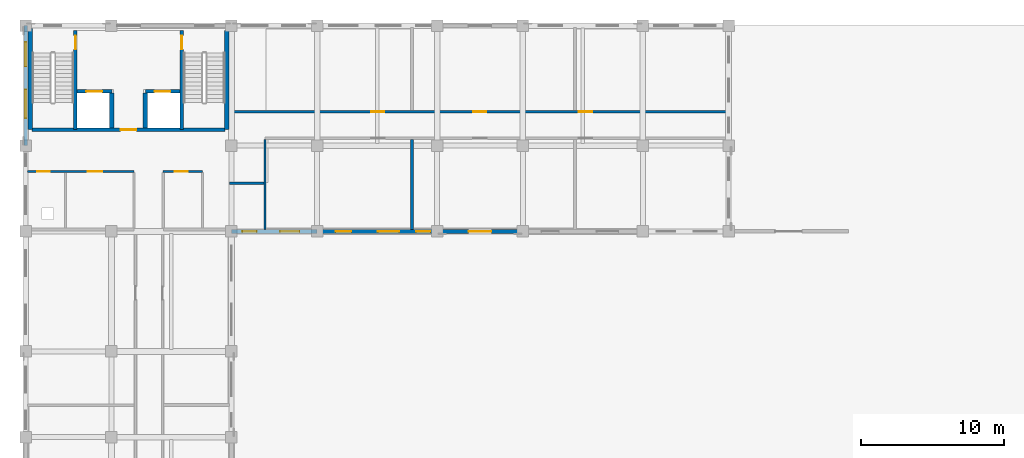
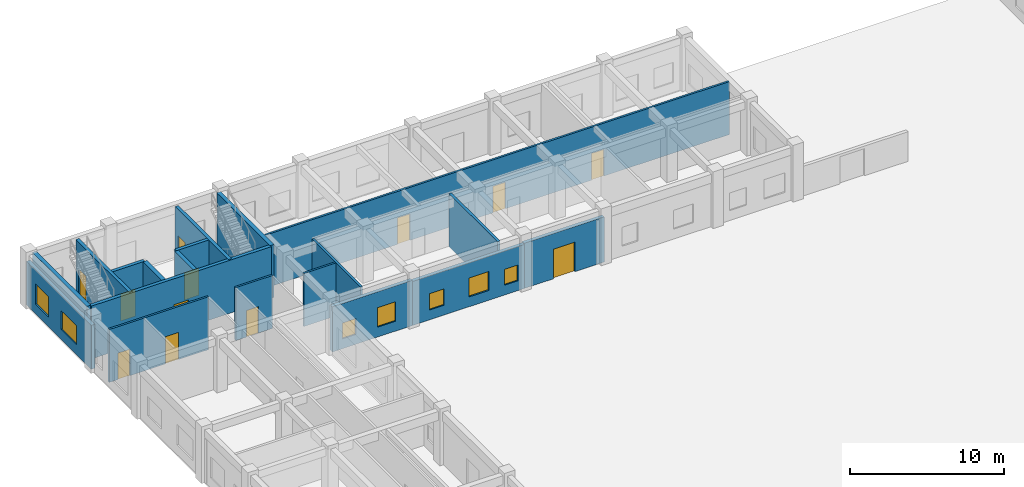
# One storey, part 36 of 67: 19 walls, 12 doors, 7 windows, 19 openings.
"""IFC4 building model written with IfcOpenShell, lengths in metres."""

from ifc_helpers import new_model, si_unit, direction, frame, frame_2d, origin, place, context, subcontext, project, spatial, rectangle, extrude, material, layer, layer_set, type_object, element, fill, save


model = new_model("IFC4")

# Units and contexts
model_context = context("Model", 3, precision=1e-05, world=origin(), true_north=direction((0.0, 1.0)))
body_context = subcontext(model_context, "Body", "Model", "MODEL_VIEW")
ifc_project = project(units=[si_unit("LENGTHUNIT", "METRE"), si_unit("AREAUNIT", "SQUARE_METRE"), si_unit("VOLUMEUNIT", "CUBIC_METRE"), si_unit("PLANEANGLEUNIT", "RADIAN"), si_unit("MASSUNIT", "GRAM", prefix="KILO"), si_unit("THERMODYNAMICTEMPERATUREUNIT", "KELVIN")], contexts=[model_context])

# Site, building, storey
site_placement = place(None, origin())
site = spatial("IfcSite", under=ifc_project, at=site_placement, CompositionType="ELEMENT")
building_placement = place(site_placement, origin())
building = spatial("IfcBuilding", under=site, at=building_placement, Name="Thalorik Housing Commons", CompositionType="ELEMENT")
storey_placement = place(building_placement, origin())
storey = spatial("IfcBuildingStorey", under=building, at=storey_placement, Name="L00", CompositionType="ELEMENT", Elevation=0.0)

# Wall, opening, door
ifc_material_1 = material(Name="Concrete C40/50", Category="concrete")
ifc_layer_1 = layer(ifc_material_1, 0.25, Name="Concrete C40/50", Category="concrete")
ifc_layer_set_1 = layer_set([ifc_layer_1], Name="Concrete C40/50")
wall_type_1 = type_object("IfcWallType", Name="ARC-WAL-CORE-250", PredefinedType="SHEAR", material=ifc_layer_set_1)
wall_1_placement = place(storey_placement, frame((11.875, 123.25, 0.0), z_axis=(0.0, 0.0, 1.0), x_axis=(0.0, -1.0, 0.0)))
wall_1 = element("IfcWall", 1, at=wall_1_placement, inside=storey, type_object=wall_type_1, Name="L00 Core A Stair 1 Shear Wall", PredefinedType="SHEAR", context=body_context, shape_type="SweptSolid", body=[
    extrude(rectangle(XDim=6.925048828125, YDim=0.25, at=frame_2d((3.46240234375, 0.0))), origin(), (0.0, 0.0, 1.0), 4.199951171875),
])
opening_1_placement = place(wall_1_placement, frame((0.35009765625, 0.0, 0.0)))
opening_1 = element("IfcOpeningElement", 2, at=opening_1_placement, cuts=wall_1, Name="Opening ID-0009", PredefinedType="OPENING", context=body_context, shape_type="SweptSolid", body=[
    extrude(rectangle(XDim=0.949951171875, YDim=2.10009765625, at=frame_2d((0.47509765625, 1.050048828125))), frame((0.0, 0.135009765625, 0.0), z_axis=(0.0, -1.0, 0.0), x_axis=(1.0, 0.0, 0.0)), (0.0, 0.0, 1.0), 0.27001953125),
])
ifc_material_2 = material(Name="Steel S355", Category="steel")
door_type_1 = type_object("IfcDoorType", Name="ARC-DR-FD60-950", OperationType="NOTDEFINED", PredefinedType="DOOR", material=ifc_material_2)
door_1_placement = place(opening_1_placement, origin())
door_1 = element("IfcDoor", 3, at=door_1_placement, inside=storey, type_object=door_type_1, Name="L00 Stair ST-A1 Fire Door", OperationType="SINGLE_SWING_RIGHT", OverallHeight=2.10009765625, OverallWidth=0.949951171875, PredefinedType="DOOR", context=body_context, shape_type="SweptSolid", body=[
    extrude(rectangle(XDim=0.949951171875, YDim=2.10009765625, at=frame_2d((0.47509765625, 1.050048828125))), frame((0.0, 0.02490234375, 0.0), z_axis=(0.0, -1.0, 0.0), x_axis=(1.0, 0.0, 0.0)), (0.0, 0.0, 1.0), 0.050048828125),
])
fill(opening_1, door_1)

wall_2_placement = place(storey_placement, frame((19.324951171875, 123.25, 0.0), z_axis=(0.0, 0.0, 1.0), x_axis=(0.0, -1.0, 0.0)))
wall_2 = element("IfcWall", 4, at=wall_2_placement, inside=storey, type_object=wall_type_1, Name="L00 Core A Stair 2 Shear Wall", PredefinedType="SHEAR", context=body_context, shape_type="SweptSolid", body=[
    extrude(rectangle(XDim=6.925048828125, YDim=0.25, at=frame_2d((3.46240234375, 0.0))), origin(), (0.0, 0.0, 1.0), 4.199951171875),
])
opening_2_placement = place(wall_2_placement, frame((0.35009765625, 0.0, 0.0)))
opening_2 = element("IfcOpeningElement", 5, at=opening_2_placement, cuts=wall_2, Name="Opening ID-0010", PredefinedType="OPENING", context=body_context, shape_type="SweptSolid", body=[
    extrude(rectangle(XDim=0.949951171875, YDim=2.10009765625, at=frame_2d((0.47509765625, 1.050048828125))), frame((0.0, 0.135009765625, 0.0), z_axis=(0.0, -1.0, 0.0), x_axis=(1.0, 0.0, 0.0)), (0.0, 0.0, 1.0), 0.27001953125),
])
door_2_placement = place(opening_2_placement, origin())
door_2 = element("IfcDoor", 6, at=door_2_placement, inside=storey, type_object=door_type_1, Name="L00 Stair ST-A2 Fire Door", OperationType="SINGLE_SWING_LEFT", OverallHeight=2.10009765625, OverallWidth=0.949951171875, PredefinedType="DOOR", context=body_context, shape_type="SweptSolid", body=[
    extrude(rectangle(XDim=0.949951171875, YDim=2.10009765625, at=frame_2d((0.47509765625, 1.050048828125))), frame((0.0, 0.02490234375, 0.0), z_axis=(0.0, -1.0, 0.0), x_axis=(1.0, 0.0, 0.0)), (0.0, 0.0, 1.0), 0.050048828125),
])
fill(opening_2, door_2)

wall_3_placement = place(storey_placement, frame((12.0, 119.0, 0.0), z_axis=(0.0, 0.0, 1.0), x_axis=(1.0, 0.0, 0.0)))
wall_3 = element("IfcWall", 7, at=wall_3_placement, inside=storey, type_object=wall_type_1, Name="L00 Lift LF-A1 Front Shaft Wall", PredefinedType="SHEAR", context=body_context, shape_type="SweptSolid", body=[
    extrude(rectangle(XDim=2.425048828125, YDim=0.25, at=frame_2d((1.21240234375, 0.0))), origin(), (0.0, 0.0, 1.0), 4.199951171875),
])
opening_3_placement = place(wall_3_placement, frame((0.64990234375, 0.0, 0.0)))
opening_3 = element("IfcOpeningElement", 8, at=opening_3_placement, cuts=wall_3, Name="Opening LD-LF-A1-L00", PredefinedType="OPENING", context=body_context, shape_type="SweptSolid", body=[
    extrude(rectangle(XDim=1.10009765625, YDim=2.14990234375, at=frame_2d((0.550048828125, 1.074951171875))), frame((0.0, 0.135009765625, 0.0), z_axis=(0.0, -1.0, 0.0), x_axis=(1.0, 0.0, 0.0)), (0.0, 0.0, 1.0), 0.27001953125),
])
door_type_2 = type_object("IfcDoorType", Name="ARC-DR-LIFT-1100", OperationType="NOTDEFINED", PredefinedType="DOOR", material=ifc_material_2)
door_3_placement = place(opening_3_placement, origin())
door_3 = element("IfcDoor", 9, at=door_3_placement, inside=storey, type_object=door_type_2, Name="L00 Lift LF-A1 Landing Door", OperationType="SLIDING_TO_LEFT", OverallHeight=2.14990234375, OverallWidth=1.10009765625, PredefinedType="DOOR", context=body_context, shape_type="SweptSolid", body=[
    extrude(rectangle(XDim=1.10009765625, YDim=2.14990234375, at=frame_2d((0.550048828125, 1.074951171875))), frame((0.0, 0.02490234375, 0.0), z_axis=(0.0, -1.0, 0.0), x_axis=(1.0, 0.0, 0.0)), (0.0, 0.0, 1.0), 0.050048828125),
])
fill(opening_3, door_3)

wall_4_placement = place(storey_placement, frame((16.77490234375, 119.0, 0.0), z_axis=(0.0, 0.0, 1.0), x_axis=(1.0, 0.0, 0.0)))
wall_4 = element("IfcWall", 10, at=wall_4_placement, inside=storey, type_object=wall_type_1, Name="L00 Lift LP-A2 Front Shaft Wall", PredefinedType="SHEAR", context=body_context, shape_type="SweptSolid", body=[
    extrude(rectangle(XDim=2.425048828125, YDim=0.25, at=frame_2d((1.21240234375, 0.0))), origin(), (0.0, 0.0, 1.0), 4.199951171875),
])
opening_4_placement = place(wall_4_placement, frame((0.64990234375, 0.0, 0.0)))
opening_4 = element("IfcOpeningElement", 11, at=opening_4_placement, cuts=wall_4, Name="Opening LD-LP-A2-L00", PredefinedType="OPENING", context=body_context, shape_type="SweptSolid", body=[
    extrude(rectangle(XDim=1.10009765625, YDim=2.14990234375, at=frame_2d((0.550048828125, 1.074951171875))), frame((0.0, 0.135009765625, 0.0), z_axis=(0.0, -1.0, 0.0), x_axis=(1.0, 0.0, 0.0)), (0.0, 0.0, 1.0), 0.27001953125),
])
door_4_placement = place(opening_4_placement, origin())
door_4 = element("IfcDoor", 12, at=door_4_placement, inside=storey, type_object=door_type_2, Name="L00 Lift LP-A2 Landing Door", OperationType="SLIDING_TO_LEFT", OverallHeight=2.14990234375, OverallWidth=1.10009765625, PredefinedType="DOOR", context=body_context, shape_type="SweptSolid", body=[
    extrude(rectangle(XDim=1.10009765625, YDim=2.14990234375, at=frame_2d((0.550048828125, 1.074951171875))), frame((0.0, 0.02490234375, 0.0), z_axis=(0.0, -1.0, 0.0), x_axis=(1.0, 0.0, 0.0)), (0.0, 0.0, 1.0), 0.050048828125),
])
fill(opening_4, door_4)

wall_5_placement = place(storey_placement, frame((8.85009765625, 116.324951171875, 0.0), z_axis=(0.0, 0.0, 1.0), x_axis=(1.0, 0.0, 0.0)))
wall_5 = element("IfcWall", 13, at=wall_5_placement, inside=storey, type_object=wall_type_1, Name="L00 Core A Spine Shear Wall", PredefinedType="SHEAR", context=body_context, shape_type="SweptSolid", body=[
    extrude(rectangle(XDim=13.5, YDim=0.25, at=frame_2d((6.75, 0.0))), origin(), (0.0, 0.0, 1.0), 4.199951171875),
])
opening_5_placement = place(wall_5_placement, frame((6.199951171875, 0.0, 0.0)))
opening_5 = element("IfcOpeningElement", 14, at=opening_5_placement, cuts=wall_5, Name="Opening ID-0013", PredefinedType="OPENING", context=body_context, shape_type="SweptSolid", body=[
    extrude(rectangle(XDim=1.10009765625, YDim=2.14990234375, at=frame_2d((0.550048828125, 1.074951171875))), frame((0.0, 0.135009765625, 0.0), z_axis=(0.0, -1.0, 0.0), x_axis=(1.0, 0.0, 0.0)), (0.0, 0.0, 1.0), 0.27001953125),
])
door_type_3 = type_object("IfcDoorType", Name="ARC-DR-FD60-1100", OperationType="NOTDEFINED", PredefinedType="DOOR", material=ifc_material_2)
door_5_placement = place(opening_5_placement, origin())
door_5 = element("IfcDoor", 15, at=door_5_placement, inside=storey, type_object=door_type_3, Name="L00 Core A Lobby Fire Door", OperationType="SINGLE_SWING_RIGHT", OverallHeight=2.14990234375, OverallWidth=1.10009765625, PredefinedType="DOOR", context=body_context, shape_type="SweptSolid", body=[
    extrude(rectangle(XDim=1.10009765625, YDim=2.14990234375, at=frame_2d((0.550048828125, 1.074951171875))), frame((0.0, 0.02490234375, 0.0), z_axis=(0.0, -1.0, 0.0), x_axis=(1.0, 0.0, 0.0)), (0.0, 0.0, 1.0), 0.050048828125),
])
fill(opening_5, door_5)

# Walls
ifc_layer_2 = layer(ifc_material_1, 0.300048828125, Name="Concrete C40/50", Category="concrete")
ifc_layer_set_2 = layer_set([ifc_layer_2], Name="Concrete C40/50")
wall_type_2 = type_object("IfcWallType", Name="ARC-WAL-CORE-300", PredefinedType="SHEAR", material=ifc_layer_set_2)
wall_6_placement = place(storey_placement, frame((8.72509765625, 123.39990234375, 0.0), z_axis=(0.0, 0.0, 1.0), x_axis=(0.0, -1.0, 0.0)))
element("IfcWall", 16, at=wall_6_placement, inside=storey, type_object=wall_type_2, Name="L00 Core A Stair 1 Outer Shear Wall", PredefinedType="SHEAR", context=body_context, shape_type="SweptSolid", body=[
    extrude(rectangle(XDim=7.074951171875, YDim=0.300048828125, at=frame_2d((3.53759765625, 0.0))), origin(), (0.0, 0.0, 1.0), 4.199951171875),
])
wall_7_placement = place(storey_placement, frame((22.47509765625, 123.25, 0.0), z_axis=(0.0, 0.0, 1.0), x_axis=(0.0, -1.0, 0.0)))
element("IfcWall", 17, at=wall_7_placement, inside=storey, type_object=wall_type_2, Name="L00 Core A Stair 2 Outer Shear Wall", PredefinedType="SHEAR", context=body_context, shape_type="SweptSolid", body=[
    extrude(rectangle(XDim=6.925048828125, YDim=0.300048828125, at=frame_2d((3.46240234375, 0.0))), origin(), (0.0, 0.0, 1.0), 4.199951171875),
])
for number, where, z_axis, x_axis, name in (
    (18, (14.425048828125, 118.875, 0.0), (0.0, 0.0, 1.0), (0.0, -1.0, 0.0), "L00 Lift 1 Cheek Wall"),
    (19, (16.77490234375, 118.875, 0.0), (0.0, 0.0, 1.0), (0.0, -1.0, 0.0), "L00 Lift 2 Cheek Wall"),
):
    element("IfcWall", number, at=place(storey_placement, frame(where, z_axis=z_axis, x_axis=x_axis)), inside=storey, type_object=wall_type_2, Name=name, PredefinedType="SHEAR", context=body_context, shape_type="SweptSolid", body=[
        extrude(rectangle(XDim=2.425048828125, YDim=0.300048828125, at=frame_2d((1.21240234375, 0.0))), origin(), (0.0, 0.0, 1.0), 4.199951171875),
    ])
ifc_material_3 = material(Name="Masonry fire-rated corridor wall", Category="masonry")
ifc_layer_3 = layer(ifc_material_3, 0.14990234375, Name="Masonry fire-rated corridor wall", Category="masonry")
ifc_layer_set_3 = layer_set([ifc_layer_3], Name="Masonry fire-rated corridor wall")
wall_type_3 = type_object("IfcWallType", Name="ARC-WAL-CORR-150", PredefinedType="PARTITIONING", material=ifc_layer_set_3)
wall_8_placement = place(storey_placement, frame((22.659912109375, 112.570068359375, 0.0), z_axis=(0.0, 0.0, 1.0), x_axis=(1.0, 0.0, 0.0)))
element("IfcWall", 20, at=wall_8_placement, inside=storey, type_object=wall_type_3, Name="L00 Block A Vestibule South Wall", PredefinedType="PARTITIONING", context=body_context, shape_type="SweptSolid", body=[
    extrude(rectangle(XDim=2.405517578125, YDim=0.14990234375, at=frame_2d((1.20263671875, 0.0))), origin(), (0.0, 0.0, 1.0), 4.199951171875),
])

# Wall, openings, doors
wall_9_placement = place(storey_placement, frame((22.659912109375, 117.580078125, 0.0), z_axis=(0.0, 0.0, 1.0), x_axis=(1.0, 0.0, 0.0)))
wall_9 = element("IfcWall", 21, at=wall_9_placement, inside=storey, type_object=wall_type_3, Name="L00 Block A N Corridor Wall 2", PredefinedType="PARTITIONING", context=body_context, shape_type="SweptSolid", body=[
    extrude(rectangle(XDim=34.8056640625, YDim=0.14990234375, at=frame_2d((17.40283203125, 0.0))), origin(), (0.0, 0.0, 1.0), 4.199951171875),
])
opening_6_placement = place(wall_9_placement, frame((9.914306640625, 0.0, 0.0)))
opening_6 = element("IfcOpeningElement", 22, at=opening_6_placement, cuts=wall_9, Name="Opening ID-0428", PredefinedType="OPENING", context=body_context, shape_type="SweptSolid", body=[
    extrude(rectangle(XDim=0.919921875, YDim=2.10009765625, at=frame_2d((0.4599609375, 1.050048828125))), frame((0.0, 0.0849609375, 0.0), z_axis=(0.0, -1.0, 0.0), x_axis=(1.0, 0.0, 0.0)), (0.0, 0.0, 1.0), 0.169921875),
])
opening_7_placement = place(wall_9_placement, frame((17.072265625, 0.0, 0.0)))
opening_7 = element("IfcOpeningElement", 23, at=opening_7_placement, cuts=wall_9, Name="Opening ID-0429", PredefinedType="OPENING", context=body_context, shape_type="SweptSolid", body=[
    extrude(rectangle(XDim=0.919921875, YDim=2.10009765625, at=frame_2d((0.4599609375, 1.050048828125))), frame((0.0, 0.0849609375, 0.0), z_axis=(0.0, -1.0, 0.0), x_axis=(1.0, 0.0, 0.0)), (0.0, 0.0, 1.0), 0.169921875),
])
opening_8_placement = place(wall_9_placement, frame((24.43994140625, 0.0, 0.0)))
opening_8 = element("IfcOpeningElement", 24, at=opening_8_placement, cuts=wall_9, Name="Opening ID-0430", PredefinedType="OPENING", context=body_context, shape_type="SweptSolid", body=[
    extrude(rectangle(XDim=0.9599609375, YDim=2.1201171875, at=frame_2d((0.47998046875, 1.06005859375))), frame((0.0, 0.0849609375, 0.0), z_axis=(0.0, -1.0, 0.0), x_axis=(1.0, 0.0, 0.0)), (0.0, 0.0, 1.0), 0.169921875),
])
ifc_material_4 = material(Name="Solid core hardwood timber", Category="wood")
door_type_4 = type_object("IfcDoorType", Name="ARC-DR-FD30-920", OperationType="NOTDEFINED", PredefinedType="DOOR", material=ifc_material_4)
door_6_placement = place(opening_6_placement, origin())
door_6 = element("IfcDoor", 25, at=door_6_placement, inside=storey, type_object=door_type_4, Name="L00 Residents Cooperative Library Door", OperationType="SINGLE_SWING_LEFT", OverallHeight=2.10009765625, OverallWidth=0.919921875, PredefinedType="DOOR", context=body_context, shape_type="SweptSolid", body=[
    extrude(rectangle(XDim=0.919921875, YDim=2.10009765625, at=frame_2d((0.4599609375, 1.050048828125))), frame((0.0, 0.02490234375, 0.0), z_axis=(0.0, -1.0, 0.0), x_axis=(1.0, 0.0, 0.0)), (0.0, 0.0, 1.0), 0.050048828125),
])
fill(opening_6, door_6)
door_7_placement = place(opening_7_placement, origin())
door_7 = element("IfcDoor", 26, at=door_7_placement, inside=storey, type_object=door_type_4, Name="L00 Community Youth Studio Door", OperationType="SINGLE_SWING_RIGHT", OverallHeight=2.10009765625, OverallWidth=0.919921875, PredefinedType="DOOR", context=body_context, shape_type="SweptSolid", body=[
    extrude(rectangle(XDim=0.919921875, YDim=2.10009765625, at=frame_2d((0.4599609375, 1.050048828125))), frame((0.0, 0.02490234375, 0.0), z_axis=(0.0, -1.0, 0.0), x_axis=(1.0, 0.0, 0.0)), (0.0, 0.0, 1.0), 0.050048828125),
])
fill(opening_7, door_7)
door_type_5 = type_object("IfcDoorType", Name="ARC-DR-FD30-960", OperationType="NOTDEFINED", PredefinedType="DOOR", material=ifc_material_4)
door_8_placement = place(opening_8_placement, origin())
door_8 = element("IfcDoor", 27, at=door_8_placement, inside=storey, type_object=door_type_5, Name="L00 Senior Day Lounge Door", OperationType="SINGLE_SWING_LEFT", OverallHeight=2.1201171875, OverallWidth=0.9599609375, PredefinedType="DOOR", context=body_context, shape_type="SweptSolid", body=[
    extrude(rectangle(XDim=0.9599609375, YDim=2.1201171875, at=frame_2d((0.47998046875, 1.06005859375))), frame((0.0, 0.02490234375, 0.0), z_axis=(0.0, -1.0, 0.0), x_axis=(1.0, 0.0, 0.0)), (0.0, 0.0, 1.0), 0.050048828125),
])
fill(opening_8, door_8)

# Wall
ifc_layer_4 = layer(ifc_material_3, 0.1650390625, Name="Masonry fire-rated corridor wall", Category="masonry")
ifc_layer_set_4 = layer_set([ifc_layer_4], Name="Masonry fire-rated corridor wall")
wall_type_4 = type_object("IfcWallType", Name="ARC-WAL-CORR-165", PredefinedType="PARTITIONING", material=ifc_layer_set_4)
wall_10_placement = place(storey_placement, frame((25.14990234375, 109.33447265625, 0.0), z_axis=(0.0, 0.0, 1.0), x_axis=(0.0, 1.0, 0.0)))
element("IfcWall", 28, at=wall_10_placement, inside=storey, type_object=wall_type_4, Name="L00 Block A Vestibule Cheek Wall", PredefinedType="PARTITIONING", context=body_context, shape_type="SweptSolid", body=[
    extrude(rectangle(XDim=6.301025390625, YDim=0.1650390625, at=frame_2d((3.150390625, 0.0))), origin(), (0.0, 0.0, 1.0), 4.199951171875),
])

# Wall, openings, windows
ifc_material_5 = material(Name="White precast concrete C40/50", Category="concrete")
ifc_layer_5 = layer(ifc_material_5, 0.264892578125, Name="White precast concrete C40/50", Category="concrete")
ifc_layer_set_5 = layer_set([ifc_layer_5], Name="White precast concrete C40/50")
wall_type_5 = type_object("IfcWallType", Name="ARC-WAL-EXT-265", PredefinedType="STANDARD", material=ifc_layer_set_5)
wall_11_placement = place(storey_placement, frame((22.800048828125, 109.199951171875, 0.0), z_axis=(0.0, 0.0, 1.0), x_axis=(1.0, 0.0, 0.0)))
wall_11 = element("IfcWall", 29, at=wall_11_placement, inside=storey, type_object=wall_type_5, Name="L00 Exterior Wall WAL-EXT-L00-A-0001", PredefinedType="STANDARD", context=body_context, shape_type="SweptSolid", body=[
    extrude(rectangle(XDim=6.0, YDim=0.264892578125, at=frame_2d((3.0, 0.0))), origin(), (0.0, 0.0, 1.0), 3.5849609375),
])
opening_9_placement = place(wall_11_placement, frame((0.77001953125, 0.0, 0.780029296875)))
opening_9 = element("IfcOpeningElement", 30, at=opening_9_placement, cuts=wall_11, Name="Opening W-02", PredefinedType="OPENING", context=body_context, shape_type="SweptSolid", body=[
    extrude(rectangle(XDim=1.0, YDim=1.25, at=frame_2d((0.5, 0.625))), frame((0.0, 0.142578125, 0.0), z_axis=(0.0, -1.0, 0.0), x_axis=(1.0, 0.0, 0.0)), (0.0, 0.0, 1.0), 0.284912109375),
])
opening_10_placement = place(wall_11_placement, frame((3.405029296875, 0.0, 0.780029296875)))
opening_10 = element("IfcOpeningElement", 31, at=opening_10_placement, cuts=wall_11, Name="Opening W-07", PredefinedType="OPENING", context=body_context, shape_type="SweptSolid", body=[
    extrude(rectangle(XDim=1.35009765625, YDim=1.550048828125, at=frame_2d((0.675048828125, 0.77490234375))), frame((0.0, 0.142578125, 0.0), z_axis=(0.0, -1.0, 0.0), x_axis=(1.0, 0.0, 0.0)), (0.0, 0.0, 1.0), 0.284912109375),
])
ifc_material_6 = material(Name="Anodised aluminium and solar-control low-E glass", Category="aluminium")
window_type_1 = type_object("IfcWindowType", Name="ARC-WIN-02", PartitioningType="SINGLE_PANEL", PredefinedType="WINDOW", material=ifc_material_6)
window_1_placement = place(opening_9_placement, origin())
window_1 = element("IfcWindow", 32, at=window_1_placement, inside=storey, type_object=window_type_1, Name="L00 Facade Window 2", OverallHeight=1.25, OverallWidth=1.0, PartitioningType="SINGLE_PANEL", PredefinedType="WINDOW", context=body_context, shape_type="SweptSolid", body=[
    extrude(rectangle(XDim=1.0, YDim=1.25, at=frame_2d((0.5, 0.625))), frame((0.0, 0.030029296875, 0.0), z_axis=(0.0, -1.0, 0.0), x_axis=(1.0, 0.0, 0.0)), (0.0, 0.0, 1.0), 0.06005859375),
])
fill(opening_9, window_1)
window_type_2 = type_object("IfcWindowType", Name="ARC-WIN-07", PartitioningType="SINGLE_PANEL", PredefinedType="WINDOW", material=ifc_material_6)
window_2_placement = place(opening_10_placement, origin())
window_2 = element("IfcWindow", 33, at=window_2_placement, inside=storey, type_object=window_type_2, Name="L00 Facade Window 3", OverallHeight=1.550048828125, OverallWidth=1.35009765625, PartitioningType="SINGLE_PANEL", PredefinedType="WINDOW", context=body_context, shape_type="SweptSolid", body=[
    extrude(rectangle(XDim=1.35009765625, YDim=1.550048828125, at=frame_2d((0.675048828125, 0.77490234375))), frame((0.0, 0.030029296875, 0.0), z_axis=(0.0, -1.0, 0.0), x_axis=(1.0, 0.0, 0.0)), (0.0, 0.0, 1.0), 0.06005859375),
])
fill(opening_10, window_2)

wall_12_placement = place(storey_placement, frame((28.800048828125, 109.199951171875, 0.0), z_axis=(0.0, 0.0, 1.0), x_axis=(1.0, 0.0, 0.0)))
wall_12 = element("IfcWall", 34, at=wall_12_placement, inside=storey, type_object=wall_type_5, Name="L00 Exterior Wall WAL-EXT-L00-A-0002", PredefinedType="STANDARD", context=body_context, shape_type="SweptSolid", body=[
    extrude(rectangle(XDim=8.39990234375, YDim=0.264892578125, at=frame_2d((4.199951171875, 0.0))), origin(), (0.0, 0.0, 1.0), 3.485107421875),
])
opening_11_placement = place(wall_12_placement, frame((1.28759765625, 0.0, 0.780029296875)))
opening_11 = element("IfcOpeningElement", 35, at=opening_11_placement, cuts=wall_12, Name="Opening W-03", PredefinedType="OPENING", context=body_context, shape_type="SweptSolid", body=[
    extrude(rectangle(XDim=1.10009765625, YDim=1.300048828125, at=frame_2d((0.550048828125, 0.64990234375))), frame((0.0, 0.142578125, 0.0), z_axis=(0.0, -1.0, 0.0), x_axis=(1.0, 0.0, 0.0)), (0.0, 0.0, 1.0), 0.284912109375),
])
opening_12_placement = place(wall_12_placement, frame((4.242431640625, 0.0, 0.780029296875)))
opening_12 = element("IfcOpeningElement", 36, at=opening_12_placement, cuts=wall_12, Name="Opening W-10", PredefinedType="OPENING", context=body_context, shape_type="SweptSolid", body=[
    extrude(rectangle(XDim=1.5, YDim=1.5, at=frame_2d((0.75, 0.75))), frame((0.0, 0.142578125, 0.0), z_axis=(0.0, -1.0, 0.0), x_axis=(1.0, 0.0, 0.0)), (0.0, 0.0, 1.0), 0.284912109375),
])
opening_13_placement = place(wall_12_placement, frame((6.925048828125, 0.0, 0.780029296875)))
opening_13 = element("IfcOpeningElement", 37, at=opening_13_placement, cuts=wall_12, Name="Opening W-02", PredefinedType="OPENING", context=body_context, shape_type="SweptSolid", body=[
    extrude(rectangle(XDim=1.0, YDim=1.25, at=frame_2d((0.5, 0.625))), frame((0.0, 0.142578125, 0.0), z_axis=(0.0, -1.0, 0.0), x_axis=(1.0, 0.0, 0.0)), (0.0, 0.0, 1.0), 0.284912109375),
])
window_3_placement = place(opening_13_placement, origin())
window_3 = element("IfcWindow", 38, at=window_3_placement, inside=storey, type_object=window_type_1, Name="L00 Facade Window 6", OverallHeight=1.25, OverallWidth=1.0, PartitioningType="SINGLE_PANEL", PredefinedType="WINDOW", context=body_context, shape_type="SweptSolid", body=[
    extrude(rectangle(XDim=1.0, YDim=1.25, at=frame_2d((0.5, 0.625))), frame((0.0, 0.030029296875, 0.0), z_axis=(0.0, -1.0, 0.0), x_axis=(1.0, 0.0, 0.0)), (0.0, 0.0, 1.0), 0.06005859375),
])
fill(opening_13, window_3)
window_type_3 = type_object("IfcWindowType", Name="ARC-WIN-03", PartitioningType="SINGLE_PANEL", PredefinedType="WINDOW", material=ifc_material_6)
window_4_placement = place(opening_11_placement, origin())
window_4 = element("IfcWindow", 39, at=window_4_placement, inside=storey, type_object=window_type_3, Name="L00 Facade Window 4", OverallHeight=1.300048828125, OverallWidth=1.10009765625, PartitioningType="SINGLE_PANEL", PredefinedType="WINDOW", context=body_context, shape_type="SweptSolid", body=[
    extrude(rectangle(XDim=1.10009765625, YDim=1.300048828125, at=frame_2d((0.550048828125, 0.64990234375))), frame((0.0, 0.030029296875, 0.0), z_axis=(0.0, -1.0, 0.0), x_axis=(1.0, 0.0, 0.0)), (0.0, 0.0, 1.0), 0.06005859375),
])
fill(opening_11, window_4)
window_type_4 = type_object("IfcWindowType", Name="ARC-WIN-10", PartitioningType="SINGLE_PANEL", PredefinedType="WINDOW", material=ifc_material_6)
window_5_placement = place(opening_12_placement, origin())
window_5 = element("IfcWindow", 40, at=window_5_placement, inside=storey, type_object=window_type_4, Name="L00 Facade Window 5", OverallHeight=1.5, OverallWidth=1.5, PartitioningType="SINGLE_PANEL", PredefinedType="WINDOW", context=body_context, shape_type="SweptSolid", body=[
    extrude(rectangle(XDim=1.5, YDim=1.5, at=frame_2d((0.75, 0.75))), frame((0.0, 0.030029296875, 0.0), z_axis=(0.0, -1.0, 0.0), x_axis=(1.0, 0.0, 0.0)), (0.0, 0.0, 1.0), 0.06005859375),
])
fill(opening_12, window_5)

# Wall, opening, door
wall_13_placement = place(storey_placement, frame((37.199951171875, 109.199951171875, 0.0), z_axis=(0.0, 0.0, 1.0), x_axis=(1.0, 0.0, 0.0)))
wall_13 = element("IfcWall", 41, at=wall_13_placement, inside=storey, type_object=wall_type_5, Name="L00 Exterior Wall WAL-EXT-L00-A-0003", PredefinedType="STANDARD", context=body_context, shape_type="SweptSolid", body=[
    extrude(rectangle(XDim=6.0, YDim=0.264892578125, at=frame_2d((3.0, 0.0))), origin(), (0.0, 0.0, 1.0), 3.5849609375),
])
opening_14_placement = place(wall_13_placement, frame((2.199951171875, 0.0, 0.0)))
opening_14 = element("IfcOpeningElement", 42, at=opening_14_placement, cuts=wall_13, Name="Opening ED-0003", PredefinedType="OPENING", context=body_context, shape_type="SweptSolid", body=[
    extrude(rectangle(XDim=1.60009765625, YDim=2.35009765625, at=frame_2d((0.800048828125, 1.175048828125))), frame((0.0, 0.142578125, 0.0), z_axis=(0.0, -1.0, 0.0), x_axis=(1.0, 0.0, 0.0)), (0.0, 0.0, 1.0), 0.284912109375),
])
ifc_material_7 = material(Name="Anodised aluminium and laminated safety glass", Category="aluminium")
door_type_6 = type_object("IfcDoorType", Name="ARC-DR-EXT-LOB-1600", OperationType="NOTDEFINED", PredefinedType="DOOR", material=ifc_material_7)
door_9_placement = place(opening_14_placement, frame((1.60009765625, 0.0, 0.0), z_axis=(0.0, 0.0, 1.0), x_axis=(-1.0, 0.0, 0.0)))
door_9 = element("IfcDoor", 43, at=door_9_placement, inside=storey, type_object=door_type_6, Name="L00 Block A Courtyard Entrance Door", OperationType="DOUBLE_DOOR_SINGLE_SWING", OverallHeight=2.35009765625, OverallWidth=1.60009765625, PredefinedType="DOOR", context=body_context, shape_type="SweptSolid", body=[
    extrude(rectangle(XDim=1.60009765625, YDim=2.35009765625, at=frame_2d((0.800048828125, 1.175048828125))), frame((0.0, 0.02490234375, 0.0), z_axis=(0.0, -1.0, 0.0), x_axis=(1.0, 0.0, 0.0)), (0.0, 0.0, 1.0), 0.050048828125),
])
fill(opening_14, door_9)

# Wall, openings, windows
wall_14_placement = place(storey_placement, frame((8.39990234375, 123.60009765625, 0.0), z_axis=(0.0, 0.0, 1.0), x_axis=(0.0, -1.0, 0.0)))
wall_14 = element("IfcWall", 44, at=wall_14_placement, inside=storey, type_object=wall_type_5, Name="L00 Exterior Wall WAL-EXT-L00-A-0015", PredefinedType="STANDARD", context=body_context, shape_type="SweptSolid", body=[
    extrude(rectangle(XDim=8.400146484375, YDim=0.264892578125, at=frame_2d((4.2001953125, 0.0))), origin(), (0.0, 0.0, 1.0), 3.485107421875),
])
opening_15_placement = place(wall_14_placement, frame((1.146240234375, 0.0, 0.780029296875)))
opening_15 = element("IfcOpeningElement", 45, at=opening_15_placement, cuts=wall_14, Name="Opening W-16", PredefinedType="OPENING", context=body_context, shape_type="SweptSolid", body=[
    extrude(rectangle(XDim=1.699951171875, YDim=1.60009765625, at=frame_2d((0.85009765625, 0.800048828125))), frame((0.0, 0.142578125, 0.0), z_axis=(0.0, -1.0, 0.0), x_axis=(1.0, 0.0, 0.0)), (0.0, 0.0, 1.0), 0.284912109375),
])
opening_16_placement = place(wall_14_placement, frame((4.46875, 0.0, 0.780029296875)))
opening_16 = element("IfcOpeningElement", 46, at=opening_16_placement, cuts=wall_14, Name="Opening W-23", PredefinedType="OPENING", context=body_context, shape_type="SweptSolid", body=[
    extrude(rectangle(XDim=2.0, YDim=1.5, at=frame_2d((1.0, 0.75))), frame((0.0, 0.142578125, 0.0), z_axis=(0.0, -1.0, 0.0), x_axis=(1.0, 0.0, 0.0)), (0.0, 0.0, 1.0), 0.284912109375),
])
window_type_5 = type_object("IfcWindowType", Name="ARC-WIN-16", PartitioningType="DOUBLE_PANEL_VERTICAL", PredefinedType="WINDOW", material=ifc_material_6)
window_6_placement = place(opening_15_placement, origin())
window_6 = element("IfcWindow", 47, at=window_6_placement, inside=storey, type_object=window_type_5, Name="L00 Facade Window 25", OverallHeight=1.60009765625, OverallWidth=1.699951171875, PartitioningType="DOUBLE_PANEL_VERTICAL", PredefinedType="WINDOW", context=body_context, shape_type="SweptSolid", body=[
    extrude(rectangle(XDim=1.699951171875, YDim=1.60009765625, at=frame_2d((0.85009765625, 0.800048828125))), frame((0.0, 0.030029296875, 0.0), z_axis=(0.0, -1.0, 0.0), x_axis=(1.0, 0.0, 0.0)), (0.0, 0.0, 1.0), 0.06005859375),
])
fill(opening_15, window_6)
window_type_6 = type_object("IfcWindowType", Name="ARC-WIN-23", PartitioningType="DOUBLE_PANEL_VERTICAL", PredefinedType="WINDOW", material=ifc_material_6)
window_7_placement = place(opening_16_placement, origin())
window_7 = element("IfcWindow", 48, at=window_7_placement, inside=storey, type_object=window_type_6, Name="L00 Facade Window 26", OverallHeight=1.5, OverallWidth=2.0, PartitioningType="DOUBLE_PANEL_VERTICAL", PredefinedType="WINDOW", context=body_context, shape_type="SweptSolid", body=[
    extrude(rectangle(XDim=2.0, YDim=1.5, at=frame_2d((1.0, 0.75))), frame((0.0, 0.030029296875, 0.0), z_axis=(0.0, -1.0, 0.0), x_axis=(1.0, 0.0, 0.0)), (0.0, 0.0, 1.0), 0.06005859375),
])
fill(opening_16, window_7)

# Wall, openings, doors
ifc_material_8 = material(Name="Ceramic masonry partition wall", Category="masonry")
ifc_layer_6 = layer(ifc_material_8, 0.14794921875, Name="Ceramic masonry partition wall", Category="masonry")
ifc_layer_set_6 = layer_set([ifc_layer_6], Name="Ceramic masonry partition wall")
wall_type_6 = type_object("IfcWallType", Name="ARC-WAL-PART-150", PredefinedType="PARTITIONING", material=ifc_layer_set_6)
wall_15_placement = place(storey_placement, frame((8.5400390625, 113.39990234375, 0.0), z_axis=(0.0, 0.0, 1.0), x_axis=(1.0, 0.0, 0.0)))
wall_15 = element("IfcWall", 49, at=wall_15_placement, inside=storey, type_object=wall_type_6, Name="L00 Core A West Corridor Partition", PredefinedType="PARTITIONING", context=body_context, shape_type="SweptSolid", body=[
    extrude(rectangle(XDim=7.43505859375, YDim=0.14794921875, at=frame_2d((3.717529296875, 0.0))), origin(), (0.0, 0.0, 1.0), 4.199951171875),
])
opening_17_placement = place(wall_15_placement, frame((0.64990234375, 0.0, 0.0)))
opening_17 = element("IfcOpeningElement", 50, at=opening_17_placement, cuts=wall_15, Name="Opening ID-0014", PredefinedType="OPENING", context=body_context, shape_type="SweptSolid", body=[
    extrude(rectangle(XDim=0.89990234375, YDim=2.10009765625, at=frame_2d((0.449951171875, 1.050048828125))), frame((0.0, 0.083984375, 0.0), z_axis=(0.0, -1.0, 0.0), x_axis=(1.0, 0.0, 0.0)), (0.0, 0.0, 1.0), 0.16796875),
])
opening_18_placement = place(wall_15_placement, frame((4.199951171875, 0.0, 0.0)))
opening_18 = element("IfcOpeningElement", 51, at=opening_18_placement, cuts=wall_15, Name="Opening ID-0015", PredefinedType="OPENING", context=body_context, shape_type="SweptSolid", body=[
    extrude(rectangle(XDim=1.0, YDim=2.14990234375, at=frame_2d((0.5, 1.074951171875))), frame((0.0, 0.083984375, 0.0), z_axis=(0.0, -1.0, 0.0), x_axis=(1.0, 0.0, 0.0)), (0.0, 0.0, 1.0), 0.16796875),
])
door_type_7 = type_object("IfcDoorType", Name="ARC-DR-FD60-1000", OperationType="NOTDEFINED", PredefinedType="DOOR", material=ifc_material_2)
door_10_placement = place(opening_18_placement, origin())
door_10 = element("IfcDoor", 52, at=door_10_placement, inside=storey, type_object=door_type_7, Name="Fire Command Room Door", OperationType="SINGLE_SWING_RIGHT", OverallHeight=2.14990234375, OverallWidth=1.0, PredefinedType="DOOR", context=body_context, shape_type="SweptSolid", body=[
    extrude(rectangle(XDim=1.0, YDim=2.14990234375, at=frame_2d((0.5, 1.074951171875))), frame((0.0, 0.02490234375, 0.0), z_axis=(0.0, -1.0, 0.0), x_axis=(1.0, 0.0, 0.0)), (0.0, 0.0, 1.0), 0.050048828125),
])
fill(opening_18, door_10)
door_type_8 = type_object("IfcDoorType", Name="ARC-DR-FD60-900", OperationType="NOTDEFINED", PredefinedType="DOOR", material=ifc_material_2)
door_11_placement = place(opening_17_placement, origin())
door_11 = element("IfcDoor", 53, at=door_11_placement, inside=storey, type_object=door_type_8, Name="Electrical Riser Door", OperationType="SINGLE_SWING_LEFT", OverallHeight=2.10009765625, OverallWidth=0.89990234375, PredefinedType="DOOR", context=body_context, shape_type="SweptSolid", body=[
    extrude(rectangle(XDim=0.89990234375, YDim=2.10009765625, at=frame_2d((0.449951171875, 1.050048828125))), frame((0.0, 0.02490234375, 0.0), z_axis=(0.0, -1.0, 0.0), x_axis=(1.0, 0.0, 0.0)), (0.0, 0.0, 1.0), 0.050048828125),
])
fill(opening_17, door_11)

# Wall, opening, door
wall_16_placement = place(storey_placement, frame((18.02490234375, 113.39990234375, 0.0), z_axis=(0.0, 0.0, 1.0), x_axis=(1.0, 0.0, 0.0)))
wall_16 = element("IfcWall", 54, at=wall_16_placement, inside=storey, type_object=wall_type_6, Name="L00 Core A East Corridor Partition", PredefinedType="PARTITIONING", context=body_context, shape_type="SweptSolid", body=[
    extrude(rectangle(XDim=2.755126953125, YDim=0.14794921875, at=frame_2d((1.37744140625, 0.0))), origin(), (0.0, 0.0, 1.0), 4.199951171875),
])
opening_19_placement = place(wall_16_placement, frame((0.800048828125, 0.0, 0.0)))
opening_19 = element("IfcOpeningElement", 55, at=opening_19_placement, cuts=wall_16, Name="Opening ID-0016", PredefinedType="OPENING", context=body_context, shape_type="SweptSolid", body=[
    extrude(rectangle(XDim=0.89990234375, YDim=2.10009765625, at=frame_2d((0.449951171875, 1.050048828125))), frame((0.0, 0.083984375, 0.0), z_axis=(0.0, -1.0, 0.0), x_axis=(1.0, 0.0, 0.0)), (0.0, 0.0, 1.0), 0.16796875),
])
ifc_material_9 = material(Name="Engineered oak timber", Category="wood")
door_type_9 = type_object("IfcDoorType", Name="ARC-DR-INT-900", OperationType="NOTDEFINED", PredefinedType="DOOR", material=ifc_material_9)
door_12_placement = place(opening_19_placement, origin())
door_12 = element("IfcDoor", 56, at=door_12_placement, inside=storey, type_object=door_type_9, Name="Accessible Bathroom Door", OperationType="SINGLE_SWING_LEFT", OverallHeight=2.10009765625, OverallWidth=0.89990234375, PredefinedType="DOOR", context=body_context, shape_type="SweptSolid", body=[
    extrude(rectangle(XDim=0.89990234375, YDim=2.10009765625, at=frame_2d((0.449951171875, 1.050048828125))), frame((0.0, 0.02490234375, 0.0), z_axis=(0.0, -1.0, 0.0), x_axis=(1.0, 0.0, 0.0)), (0.0, 0.0, 1.0), 0.050048828125),
])
fill(opening_19, door_12)

# Wall
ifc_material_10 = material(Name="Precast concrete C40/50 acoustic wall", Category="concrete")
ifc_layer_7 = layer(ifc_material_10, 0.199951171875, Name="Precast concrete C40/50 acoustic wall", Category="concrete")
ifc_layer_set_7 = layer_set([ifc_layer_7], Name="Precast concrete C40/50 acoustic wall")
wall_type_7 = type_object("IfcWallType", Name="ARC-WAL-PARTY-200", PredefinedType="PARTITIONING", material=ifc_layer_set_7)
wall_17_placement = place(storey_placement, frame((35.43994140625, 109.33447265625, 0.0), z_axis=(0.0, 0.0, 1.0), x_axis=(0.0, 1.0, 0.0)))
element("IfcWall", 57, at=wall_17_placement, inside=storey, type_object=wall_type_7, Name="L00 Inter-Tenancy Wall 1A", PredefinedType="PARTITIONING", context=body_context, shape_type="SweptSolid", body=[
    extrude(rectangle(XDim=6.301025390625, YDim=0.199951171875, at=frame_2d((3.150390625, 0.0))), origin(), (0.0, 0.0, 1.0), 4.199951171875),
])

save(model, "model.ifc")
